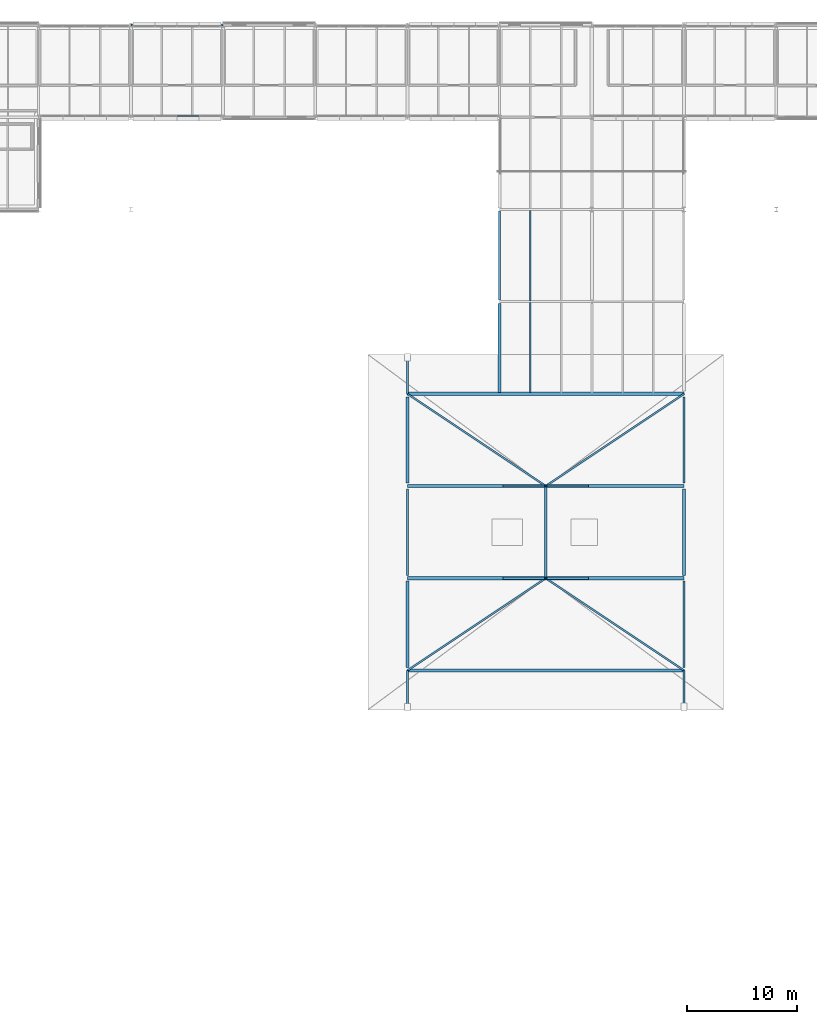
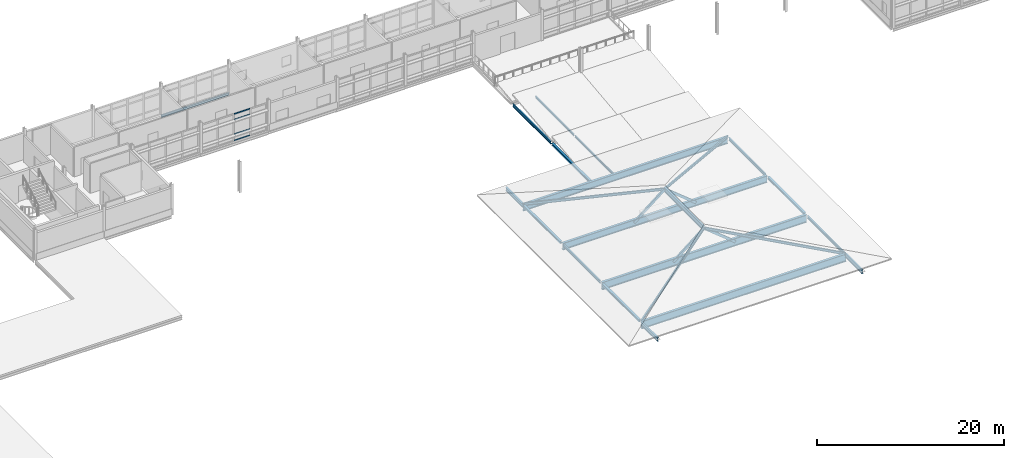
# One storey, part 12 of 66: 19 beams, 12 members, 1 element without a shape of its own.
"""IFC4 building model written with IfcOpenShell, lengths in metres."""

from ifc_helpers import new_model, si_unit, direction, frame, origin, origin_2d, place, context, subcontext, project, spatial, hollow_rectangle, i_section, extrude, material, material_profile, profile_set, type_object, element, aggregate, save


model = new_model("IFC4")

# Units and contexts
model_context = context("Model", 3, precision=1e-05, world=origin(), true_north=direction((0.0, 1.0)))
body_context = subcontext(model_context, "Body", "Model", "MODEL_VIEW")
ifc_project = project(units=[si_unit("LENGTHUNIT", "METRE"), si_unit("AREAUNIT", "SQUARE_METRE"), si_unit("VOLUMEUNIT", "CUBIC_METRE"), si_unit("PLANEANGLEUNIT", "RADIAN"), si_unit("MASSUNIT", "GRAM", prefix="KILO")], contexts=[model_context])

# Site, building, storey
site_placement = place(None, origin())
site = spatial("IfcSite", under=ifc_project, at=site_placement, CompositionType="ELEMENT")
building_placement = place(site_placement, origin())
building = spatial("IfcBuilding", under=site, at=building_placement, Name="Mersafa Astral City Hall", CompositionType="ELEMENT")
storey_placement = place(building_placement, frame((0.0, 0.0, 22.050048828125)))
storey = spatial("IfcBuildingStorey", under=building, at=storey_placement, Name="L05", CompositionType="ELEMENT", Elevation=22.050048828125)

# Curtain wall, members
ifc_material_1 = material(Name="Anodised bronze aluminium framing", Category="aluminium")
curtain_wall_type = type_object("IfcCurtainWallType", Name="ENV-CW-3", PredefinedType="USERDEFINED", material=ifc_material_1)
curtain_wall_placement = place(storey_placement, origin())
curtain_wall = element("IfcCurtainWall", 1, at=curtain_wall_placement, inside=storey, type_object=curtain_wall_type, Name="L05 Unitised solar curtain wall 236", ObjectType="UNITISED CURTAIN WALL", PredefinedType="USERDEFINED")
ifc_material_profile_1 = material_profile(ifc_material_1, hollow_rectangle(XDim=0.06005859375, YDim=0.159912109375, WallThickness=0.00390625, at=origin_2d()), Name="RHS 60x160x4")
ifc_profile_set_1 = profile_set([ifc_material_profile_1], Name="Anodised bronze aluminium framing")
member_type_1 = type_object("IfcMemberType", Name="ENV-CW-TRN-2", PredefinedType="USERDEFINED", material=ifc_profile_set_1)
member_1_placement = place(storey_placement, frame((71.429931640625, 117.719970703125, 0.02783203125), z_axis=(1.0, 0.0, 0.0), x_axis=(0.0, 1.0, 0.0)))
member_1 = element("IfcMember", 2, at=member_1_placement, type_object=member_type_1, Name="CW-3 transom 3.1", ObjectType="TRANSOM", PredefinedType="USERDEFINED", context=body_context, shape_type="SweptSolid", body=[
    extrude(hollow_rectangle(XDim=0.06005859375, YDim=0.159912109375, WallThickness=0.00390625, at=origin_2d()), origin(), (0.0, 0.0, 1.0), 1.958984375),
])
member_2_placement = place(storey_placement, frame((71.429931640625, 117.719970703125, 0.849853515625), z_axis=(1.0, 0.0, 0.0), x_axis=(0.0, 1.0, 0.0)))
member_2 = element("IfcMember", 3, at=member_2_placement, type_object=member_type_1, Name="CW-3 transom 3.2", ObjectType="TRANSOM", PredefinedType="USERDEFINED", context=body_context, shape_type="SweptSolid", body=[
    extrude(hollow_rectangle(XDim=0.06005859375, YDim=0.159912109375, WallThickness=0.00390625, at=origin_2d()), origin(), (0.0, 0.0, 1.0), 1.958984375),
])
member_3_placement = place(storey_placement, frame((71.429931640625, 117.719970703125, 2.75), z_axis=(1.0, 0.0, 0.0), x_axis=(0.0, 1.0, 0.0)))
member_3 = element("IfcMember", 4, at=member_3_placement, type_object=member_type_1, Name="CW-3 transom 3.3", ObjectType="TRANSOM", PredefinedType="USERDEFINED", context=body_context, shape_type="SweptSolid", body=[
    extrude(hollow_rectangle(XDim=0.06005859375, YDim=0.159912109375, WallThickness=0.00390625, at=origin_2d()), origin(), (0.0, 0.0, 1.0), 1.958984375),
])
member_4_placement = place(storey_placement, frame((71.429931640625, 117.719970703125, 3.48193359375), z_axis=(1.0, 0.0, 0.0), x_axis=(0.0, 1.0, 0.0)))
member_4 = element("IfcMember", 5, at=member_4_placement, type_object=member_type_1, Name="CW-3 transom 3.4", ObjectType="TRANSOM", PredefinedType="USERDEFINED", context=body_context, shape_type="SweptSolid", body=[
    extrude(hollow_rectangle(XDim=0.06005859375, YDim=0.159912109375, WallThickness=0.00390625, at=origin_2d()), origin(), (0.0, 0.0, 1.0), 1.958984375),
])
aggregate(curtain_wall, [member_1, member_2, member_3, member_4])

# Beams
ifc_material_2 = material(Name="Steel S355", Category="steel")
ifc_material_profile_2 = material_profile(ifc_material_2, i_section(OverallWidth=0.300048828125, OverallDepth=0.89990234375, WebThickness=0.0185546875, FlangeThickness=0.034912109375, FilletRadius=0.030029296875, at=origin_2d()), Name="HEB 900")
ifc_profile_set_2 = profile_set([ifc_material_profile_2], Name="Steel S355")
beam_type_1 = type_object("IfcBeamType", Name="STR-BM-HEB900", PredefinedType="BEAM", material=ifc_profile_set_2)
for number, where, z_axis, x_axis, name in (
    (6, (92.403076171875, 84.0, -0.630126953125), (1.0, 0.0, 0.0), (0.0, 1.0, 0.0), "L05 Public Service Hall clear-span portal girder 10"),
    (7, (92.403076171875, 92.39990234375, -0.650146484375), (1.0, 0.0, 0.0), (0.0, 1.0, 0.0), "L05 Public Service Hall clear-span portal girder 11"),
):
    element("IfcBeam", number, at=place(storey_placement, frame(where, z_axis=z_axis, x_axis=x_axis)), inside=storey, type_object=beam_type_1, Name=name, PredefinedType="BEAM", context=body_context, shape_type="SweptSolid", body=[
        extrude(i_section(OverallWidth=0.300048828125, OverallDepth=0.89990234375, WebThickness=0.0185546875, FlangeThickness=0.034912109375, FilletRadius=0.030029296875, at=origin_2d()), origin(), (0.0, 0.0, 1.0), 25.19384765625),
    ])
ifc_material_profile_3 = material_profile(ifc_material_2, i_section(OverallWidth=0.199951171875, OverallDepth=0.5, WebThickness=0.01025390625, FlangeThickness=0.01611328125, FilletRadius=0.02099609375, at=origin_2d()), Name="IPE 500")
ifc_profile_set_3 = profile_set([ifc_material_profile_3], Name="Steel S355")
beam_type_2 = type_object("IfcBeamType", Name="STR-BM-IPE500", PredefinedType="BEAM", material=ifc_profile_set_3)
beam_1_placement = place(storey_placement, frame((92.39990234375, 67.199951171875, -0.41015625), z_axis=(0.0, -1.0, 0.0), x_axis=(1.0, 0.0, 0.0)))
element("IfcBeam", 8, at=beam_1_placement, inside=storey, type_object=beam_type_2, Name="L05 Cantilevered eave beam ROOF-T4-V2 S-11", PredefinedType="BEAM", context=body_context, shape_type="SweptSolid", body=[
    extrude(i_section(OverallWidth=0.199951171875, OverallDepth=0.5, WebThickness=0.01025390625, FlangeThickness=0.01611328125, FilletRadius=0.02099609375, at=origin_2d()), origin(), (0.0, 0.0, 1.0), 3.599853515625),
])
beam_2_placement = place(storey_placement, frame((92.39990234375, 92.39990234375, -0.41015625), z_axis=(0.0, 1.0, 0.0), x_axis=(-1.0, 0.0, 0.0)))
element("IfcBeam", 9, at=beam_2_placement, inside=storey, type_object=beam_type_2, Name="L05 Cantilevered eave beam ROOF-T4-V2 N-11", PredefinedType="BEAM", context=body_context, shape_type="SweptSolid", body=[
    extrude(i_section(OverallWidth=0.199951171875, OverallDepth=0.5, WebThickness=0.01025390625, FlangeThickness=0.01611328125, FilletRadius=0.02099609375, at=origin_2d()), origin(), (0.0, 0.0, 1.0), 3.60009765625),
])
beam_3_placement = place(storey_placement, frame((117.60009765625, 67.199951171875, -0.41015625), z_axis=(0.0, -1.0, 0.0), x_axis=(1.0, 0.0, 0.0)))
element("IfcBeam", 10, at=beam_3_placement, inside=storey, type_object=beam_type_2, Name="L05 Cantilevered eave beam ROOF-T4-V2 S-14", PredefinedType="BEAM", context=body_context, shape_type="SweptSolid", body=[
    extrude(i_section(OverallWidth=0.199951171875, OverallDepth=0.5, WebThickness=0.01025390625, FlangeThickness=0.01611328125, FilletRadius=0.02099609375, at=origin_2d()), origin(), (0.0, 0.0, 1.0), 3.599853515625),
])
ifc_material_profile_4 = material_profile(ifc_material_2, i_section(OverallWidth=0.219970703125, OverallDepth=0.60009765625, WebThickness=0.011962890625, FlangeThickness=0.01904296875, FilletRadius=0.02392578125, at=origin_2d()), Name="IPE 600")
ifc_profile_set_4 = profile_set([ifc_material_profile_4], Name="Steel S355")
beam_type_3 = type_object("IfcBeamType", Name="STR-BM-IPE600", PredefinedType="BEAM", material=ifc_profile_set_4)
beam_4_placement = place(storey_placement, frame((105.0, 75.60009765625, 2.410888671875), z_axis=(0.0, 1.0, 0.0), x_axis=(-1.0, 0.0, 0.0)))
element("IfcBeam", 11, at=beam_4_placement, inside=storey, type_object=beam_type_3, Name="L05 Hipped roof ridge beam ROOF-T4-V2-1", PredefinedType="BEAM", context=body_context, shape_type="SweptSolid", body=[
    extrude(i_section(OverallWidth=0.219970703125, OverallDepth=0.60009765625, WebThickness=0.011962890625, FlangeThickness=0.01904296875, FilletRadius=0.02392578125, at=origin_2d()), origin(), (0.0, 0.0, 1.0), 8.39990234375),
])
ifc_material_profile_5 = material_profile(ifc_material_2, i_section(OverallWidth=0.135009765625, OverallDepth=0.27001953125, WebThickness=0.006591796875, FlangeThickness=0.01025390625, FilletRadius=0.014892578125, at=origin_2d()), Name="IPE 270")
ifc_profile_set_5 = profile_set([ifc_material_profile_5], Name="Steel S355")
beam_type_4 = type_object("IfcBeamType", Name="STR-BM-JOIST-IPE270", PredefinedType="JOIST", material=ifc_profile_set_5)
beam_5_placement = place(storey_placement, frame((103.60009765625, 92.544921875, -0.3349609375), z_axis=(0.0, 1.0, 0.0), x_axis=(-1.0, 0.0, 0.0)))
element("IfcBeam", 12, at=beam_5_placement, inside=storey, type_object=beam_type_4, Name="L05 Flat roof secondary joist 21", PredefinedType="JOIST", context=body_context, shape_type="SweptSolid", body=[
    extrude(i_section(OverallWidth=0.135009765625, OverallDepth=0.27001953125, WebThickness=0.006591796875, FlangeThickness=0.01025390625, FilletRadius=0.014892578125, at=origin_2d()), origin(), (0.0, 0.0, 1.0), 8.175048828125),
])
beam_6_placement = place(storey_placement, frame((103.60009765625, 100.8798828125, -0.3349609375), z_axis=(0.0, 1.0, 0.0), x_axis=(-1.0, 0.0, 0.0)))
element("IfcBeam", 13, at=beam_6_placement, inside=storey, type_object=beam_type_4, Name="L05 Flat roof secondary joist 23", PredefinedType="JOIST", context=body_context, shape_type="SweptSolid", body=[
    extrude(i_section(OverallWidth=0.135009765625, OverallDepth=0.27001953125, WebThickness=0.006591796875, FlangeThickness=0.01025390625, FilletRadius=0.014892578125, at=origin_2d()), origin(), (0.0, 0.0, 1.0), 8.2451171875),
])
ifc_material_profile_6 = material_profile(ifc_material_2, i_section(OverallWidth=0.300048828125, OverallDepth=1.0, WebThickness=0.01904296875, FlangeThickness=0.035888671875, FilletRadius=0.030029296875, at=origin_2d()), Name="HEB 1000")
ifc_profile_set_6 = profile_set([ifc_material_profile_6], Name="Steel S355")
beam_type_5 = type_object("IfcBeamType", Name="STR-BM-PORTAL-HEB1000", PredefinedType="BEAM", material=ifc_profile_set_6)
for number, where, z_axis, x_axis, name in (
    (14, (92.403076171875, 67.199951171875, -0.679931640625), (1.0, 0.0, 0.0), (0.0, 1.0, 0.0), "L05 Public Service Hall clear-span portal girder 8"),
    (15, (92.403076171875, 75.60009765625, -0.679931640625), (1.0, 0.0, 0.0), (0.0, 1.0, 0.0), "L05 Public Service Hall clear-span portal girder 9"),
):
    element("IfcBeam", number, at=place(storey_placement, frame(where, z_axis=z_axis, x_axis=x_axis)), inside=storey, type_object=beam_type_5, Name=name, PredefinedType="BEAM", context=body_context, shape_type="SweptSolid", body=[
        extrude(i_section(OverallWidth=0.300048828125, OverallDepth=1.0, WebThickness=0.01904296875, FlangeThickness=0.035888671875, FilletRadius=0.030029296875, at=origin_2d()), origin(), (0.0, 0.0, 1.0), 25.19384765625),
    ])
ifc_material_profile_7 = material_profile(ifc_material_2, i_section(OverallWidth=0.280029296875, OverallDepth=0.27001953125, WebThickness=0.008056640625, FlangeThickness=0.012939453125, FilletRadius=0.02392578125, at=origin_2d()), Name="HEA 280")
ifc_profile_set_7 = profile_set([ifc_material_profile_7], Name="Steel S355")
beam_type_6 = type_object("IfcBeamType", Name="STR-BM-SPANDREL-HEA280", PredefinedType="SPANDREL", material=ifc_profile_set_7)
beam_7_placement = place(storey_placement, frame((92.39990234375, 67.469970703125, -0.31494140625), z_axis=(0.0, 1.0, 0.0), x_axis=(-1.0, 0.0, 0.0)))
element("IfcBeam", 16, at=beam_7_placement, inside=storey, type_object=beam_type_6, Name="L05 Primary girder Y 11-8", PredefinedType="SPANDREL", context=body_context, shape_type="SweptSolid", body=[
    extrude(i_section(OverallWidth=0.280029296875, OverallDepth=0.27001953125, WebThickness=0.008056640625, FlangeThickness=0.012939453125, FilletRadius=0.02392578125, at=origin_2d()), origin(), (0.0, 0.0, 1.0), 7.860107421875),
])
beam_8_placement = place(storey_placement, frame((92.39990234375, 84.27001953125, -0.31494140625), z_axis=(0.0, 1.0, 0.0), x_axis=(-1.0, 0.0, 0.0)))
element("IfcBeam", 17, at=beam_8_placement, inside=storey, type_object=beam_type_6, Name="L05 Primary girder Y 11-10", PredefinedType="SPANDREL", context=body_context, shape_type="SweptSolid", body=[
    extrude(i_section(OverallWidth=0.280029296875, OverallDepth=0.27001953125, WebThickness=0.008056640625, FlangeThickness=0.012939453125, FilletRadius=0.02392578125, at=origin_2d()), origin(), (0.0, 0.0, 1.0), 7.85986328125),
])
beam_9_placement = place(storey_placement, frame((100.800048828125, 92.544921875, -0.3349609375), z_axis=(0.0, 1.0, 0.0), x_axis=(-1.0, 0.0, 0.0)))
element("IfcBeam", 18, at=beam_9_placement, inside=storey, type_object=beam_type_6, Name="L05 Primary girder Y 12-11", PredefinedType="SPANDREL", context=body_context, shape_type="SweptSolid", body=[
    extrude(i_section(OverallWidth=0.280029296875, OverallDepth=0.27001953125, WebThickness=0.008056640625, FlangeThickness=0.012939453125, FilletRadius=0.02392578125, at=origin_2d()), origin(), (0.0, 0.0, 1.0), 8.110107421875),
])
beam_10_placement = place(storey_placement, frame((117.60009765625, 75.8701171875, -0.31494140625), z_axis=(0.0, 1.0, 0.0), x_axis=(-1.0, 0.0, 0.0)))
element("IfcBeam", 19, at=beam_10_placement, inside=storey, type_object=beam_type_6, Name="L05 Primary girder Y 14-9", PredefinedType="SPANDREL", context=body_context, shape_type="SweptSolid", body=[
    extrude(i_section(OverallWidth=0.280029296875, OverallDepth=0.27001953125, WebThickness=0.008056640625, FlangeThickness=0.012939453125, FilletRadius=0.02392578125, at=origin_2d()), origin(), (0.0, 0.0, 1.0), 7.85986328125),
])
ifc_material_profile_8 = material_profile(ifc_material_2, i_section(OverallWidth=0.159912109375, OverallDepth=0.330078125, WebThickness=0.007568359375, FlangeThickness=0.011474609375, FilletRadius=0.01806640625, at=origin_2d()), Name="IPE 330")
ifc_profile_set_8 = profile_set([ifc_material_profile_8], Name="Steel S355")
beam_type_7 = type_object("IfcBeamType", Name="STR-BM-SPANDREL-IPE330", PredefinedType="SPANDREL", material=ifc_profile_set_8)
beam_11_placement = place(storey_placement, frame((67.202880859375, 126.0, -0.344970703125), z_axis=(1.0, 0.0, 0.0), x_axis=(0.0, 1.0, 0.0)))
element("IfcBeam", 20, at=beam_11_placement, inside=storey, type_object=beam_type_7, Name="L05 Primary girder X 8-15", PredefinedType="SPANDREL", context=body_context, shape_type="SweptSolid", body=[
    extrude(i_section(OverallWidth=0.159912109375, OverallDepth=0.330078125, WebThickness=0.007568359375, FlangeThickness=0.011474609375, FilletRadius=0.01806640625, at=origin_2d()), origin(), (0.0, 0.0, 1.0), 8.39404296875),
])
ifc_material_profile_9 = material_profile(ifc_material_2, i_section(OverallWidth=0.169921875, OverallDepth=0.360107421875, WebThickness=0.008056640625, FlangeThickness=0.0126953125, FilletRadius=0.01806640625, at=origin_2d()), Name="IPE 360")
ifc_profile_set_9 = profile_set([ifc_material_profile_9], Name="Steel S355")
beam_type_8 = type_object("IfcBeamType", Name="STR-BM-SPANDREL-IPE360", PredefinedType="SPANDREL", material=ifc_profile_set_9)
beam_12_placement = place(storey_placement, frame((92.39990234375, 75.8701171875, -0.360107421875), z_axis=(0.0, 1.0, 0.0), x_axis=(-1.0, 0.0, 0.0)))
element("IfcBeam", 21, at=beam_12_placement, inside=storey, type_object=beam_type_8, Name="L05 Primary girder Y 11-9", PredefinedType="SPANDREL", context=body_context, shape_type="SweptSolid", body=[
    extrude(i_section(OverallWidth=0.169921875, OverallDepth=0.360107421875, WebThickness=0.008056640625, FlangeThickness=0.0126953125, FilletRadius=0.01806640625, at=origin_2d()), origin(), (0.0, 0.0, 1.0), 7.85986328125),
])
beam_13_placement = place(storey_placement, frame((100.800048828125, 100.945068359375, -0.380126953125), z_axis=(0.0, 1.0, 0.0), x_axis=(-1.0, 0.0, 0.0)))
element("IfcBeam", 22, at=beam_13_placement, inside=storey, type_object=beam_type_8, Name="L05 Primary girder Y 12-12", PredefinedType="SPANDREL", context=body_context, shape_type="SweptSolid", body=[
    extrude(i_section(OverallWidth=0.169921875, OverallDepth=0.360107421875, WebThickness=0.008056640625, FlangeThickness=0.0126953125, FilletRadius=0.01806640625, at=origin_2d()), origin(), (0.0, 0.0, 1.0), 8.10986328125),
])
beam_14_placement = place(storey_placement, frame((117.60009765625, 67.469970703125, -0.360107421875), z_axis=(0.0, 1.0, 0.0), x_axis=(-1.0, 0.0, 0.0)))
element("IfcBeam", 23, at=beam_14_placement, inside=storey, type_object=beam_type_8, Name="L05 Primary girder Y 14-8", PredefinedType="SPANDREL", context=body_context, shape_type="SweptSolid", body=[
    extrude(i_section(OverallWidth=0.169921875, OverallDepth=0.360107421875, WebThickness=0.008056640625, FlangeThickness=0.0126953125, FilletRadius=0.01806640625, at=origin_2d()), origin(), (0.0, 0.0, 1.0), 7.860107421875),
])
beam_15_placement = place(storey_placement, frame((117.60009765625, 84.27001953125, -0.360107421875), z_axis=(0.0, 1.0, 0.0), x_axis=(-1.0, 0.0, 0.0)))
element("IfcBeam", 24, at=beam_15_placement, inside=storey, type_object=beam_type_8, Name="L05 Primary girder Y 14-10", PredefinedType="SPANDREL", context=body_context, shape_type="SweptSolid", body=[
    extrude(i_section(OverallWidth=0.169921875, OverallDepth=0.360107421875, WebThickness=0.008056640625, FlangeThickness=0.0126953125, FilletRadius=0.01806640625, at=origin_2d()), origin(), (0.0, 0.0, 1.0), 7.85986328125),
])

# Members
ifc_material_profile_10 = material_profile(ifc_material_2, i_section(OverallWidth=0.159912109375, OverallDepth=0.330078125, WebThickness=0.007568359375, FlangeThickness=0.011474609375, FilletRadius=0.01806640625, at=origin_2d()), Name="IPE 330")
ifc_profile_set_10 = profile_set([ifc_material_profile_10], Name="Steel S355")
member_type_2 = type_object("IfcMemberType", Name="STR-MBR-RAFTER-IPE330", PredefinedType="RAFTER", material=ifc_profile_set_10)
for number, where, z_axis, x_axis, name in (
    (25, (92.39990234375, 67.199951171875, -0.25), (0.819493196218, 0.546334090337, 0.173060576353), (-0.554703916643, 0.832047814047, 0.0), "L05 Hipped roof corner hip rafter ROOF-T4-V2-1"),
    (26, (117.60009765625, 67.199951171875, -0.25), (-0.819493196218, 0.546334090337, 0.173060576353), (-0.554703916643, -0.832047814047, 0.0), "L05 Hipped roof corner hip rafter ROOF-T4-V2-2"),
):
    element("IfcMember", number, at=place(storey_placement, frame(where, z_axis=z_axis, x_axis=x_axis)), inside=storey, type_object=member_type_2, Name=name, PredefinedType="RAFTER", context=body_context, shape_type="SweptSolid", body=[
        extrude(i_section(OverallWidth=0.159912109375, OverallDepth=0.330078125, WebThickness=0.007568359375, FlangeThickness=0.011474609375, FilletRadius=0.01806640625, at=origin_2d()), origin(), (0.0, 0.0, 1.0), 15.37548828125),
    ])
for number, where, z_axis, x_axis, name in (
    (27, (117.60009765625, 92.39990234375, -0.25), (-0.819500305316, -0.54632295107, 0.173062077652), (0.55469275529, -0.832055254913, 0.0), "L05 Hipped roof corner hip rafter ROOF-T4-V2-3"),
    (28, (92.39990234375, 92.39990234375, -0.25), (0.819500305316, -0.54632295107, 0.173062077652), (0.55469275529, 0.832055254913, 0.0), "L05 Hipped roof corner hip rafter ROOF-T4-V2-4"),
):
    element("IfcMember", number, at=place(storey_placement, frame(where, z_axis=z_axis, x_axis=x_axis)), inside=storey, type_object=member_type_2, Name=name, PredefinedType="RAFTER", context=body_context, shape_type="SweptSolid", body=[
        extrude(i_section(OverallWidth=0.159912109375, OverallDepth=0.330078125, WebThickness=0.007568359375, FlangeThickness=0.011474609375, FilletRadius=0.01806640625, at=origin_2d()), origin(), (0.0, 0.0, 1.0), 15.375244140625),
    ])
ifc_material_profile_11 = material_profile(ifc_material_2, hollow_rectangle(XDim=0.199951171875, YDim=0.300048828125, WallThickness=0.012451171875, at=origin_2d()), Name="RHS 200x300x12.5")
ifc_profile_set_11 = profile_set([ifc_material_profile_11], Name="Steel S355")
member_type_3 = type_object("IfcMemberType", Name="STR-MBR-STRUT-RHS200X300", PredefinedType="BRACE", material=ifc_profile_set_11)
for number, where, z_axis, x_axis, name in (
    (29, (101.199951171875, 75.60009765625, -0.650146484375), (0.778765451453, 0.0, 0.627315209144), (0.0, 1.0, 0.0), "L05 Roof ridge raked A-strut ROOF-T4-V2-1A"),
    (30, (108.800048828125, 75.60009765625, -0.650146484375), (-0.778765451453, 0.0, 0.627315209144), (0.0, -1.0, 0.0), "L05 Roof ridge raked A-strut ROOF-T4-V2-1B"),
    (31, (101.199951171875, 84.0, -0.650146484375), (0.778765451453, 0.0, 0.627315209144), (0.0, 1.0, 0.0), "L05 Roof ridge raked A-strut ROOF-T4-V2-2A"),
    (32, (108.800048828125, 84.0, -0.650146484375), (-0.778765451453, 0.0, 0.627315209144), (0.0, -1.0, 0.0), "L05 Roof ridge raked A-strut ROOF-T4-V2-2B"),
):
    element("IfcMember", number, at=place(storey_placement, frame(where, z_axis=z_axis, x_axis=x_axis)), inside=storey, type_object=member_type_3, Name=name, PredefinedType="BRACE", context=body_context, shape_type="SweptSolid", body=[
        extrude(hollow_rectangle(XDim=0.199951171875, YDim=0.300048828125, WallThickness=0.012451171875, at=origin_2d()), origin(), (0.0, 0.0, 1.0), 4.879638671875),
    ])

save(model, "model.ifc")
